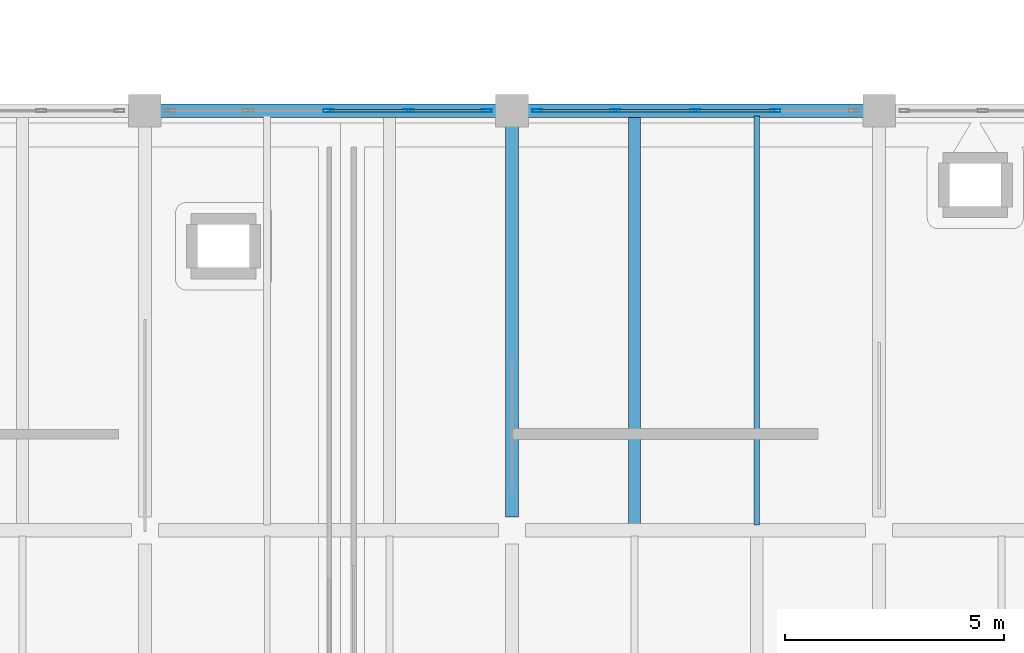
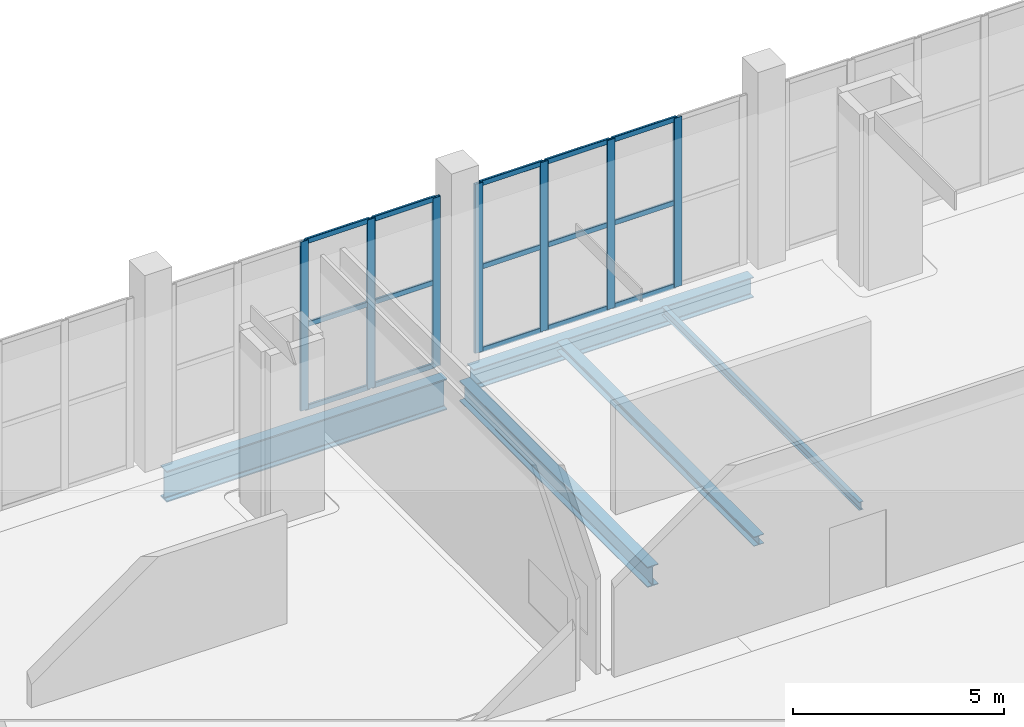
# One storey, part 15 of 49: 22 members, 5 beams, 2 elements without a shape of their own.
"""IFC4 building model written with IfcOpenShell, lengths in metres."""

from ifc_helpers import new_model, si_unit, direction, frame, origin, origin_2d, place, context, subcontext, project, spatial, hollow_rectangle, i_section, extrude, material, layer, layer_set, material_profile, profile_set, type_object, element, aggregate, save


model = new_model("IFC4")

# Units and contexts
model_context = context("Model", 3, precision=1e-05, world=origin(), true_north=direction((0.0, 1.0)))
body_context = subcontext(model_context, "Body", "Model", "MODEL_VIEW")
ifc_project = project(units=[si_unit("LENGTHUNIT", "METRE"), si_unit("AREAUNIT", "SQUARE_METRE"), si_unit("VOLUMEUNIT", "CUBIC_METRE"), si_unit("PLANEANGLEUNIT", "RADIAN"), si_unit("MASSUNIT", "GRAM", prefix="KILO")], contexts=[model_context])

# Site, building, storey
site_placement = place(None, origin())
site = spatial("IfcSite", under=ifc_project, at=site_placement, CompositionType="ELEMENT")
building_placement = place(site_placement, origin())
building = spatial("IfcBuilding", under=site, at=building_placement, Name="Zulmaris Art Gallery", CompositionType="ELEMENT")
storey_placement = place(building_placement, frame((0.0, 0.0, 20.699951171875)))
storey = spatial("IfcBuildingStorey", under=building, at=storey_placement, Name="L04", CompositionType="ELEMENT", Elevation=20.699951171875)

# Beams
ifc_material_1 = material(Name="Steel S355J2", Category="steel")
ifc_material_profile_1 = material_profile(ifc_material_1, i_section(OverallWidth=0.300048828125, OverallDepth=0.590087890625, WebThickness=0.012939453125, FlangeThickness=0.02490234375, FilletRadius=0.027099609375, at=origin_2d()), Name="HEA 600")
ifc_profile_set_1 = profile_set([ifc_material_profile_1], Name="Steel S355J2")
beam_type_1 = type_object("IfcBeamType", Name="BEAM-BM12", PredefinedType="BEAM", material=ifc_profile_set_1)
beam_1_placement = place(storey_placement, frame((66.360107421875, 50.39990234375, -0.655029296875), z_axis=(1.0, 0.0, 0.0), x_axis=(0.0, 1.0, 0.0)))
element("IfcBeam", 1, at=beam_1_placement, inside=storey, type_object=beam_type_1, Name="L04 X-girder (66.0..74.4, y=50.4)", PredefinedType="BEAM", context=body_context, shape_type="SweptSolid", body=[
    extrude(i_section(OverallWidth=0.300048828125, OverallDepth=0.590087890625, WebThickness=0.012939453125, FlangeThickness=0.02490234375, FilletRadius=0.027099609375, at=origin_2d()), origin(), (0.0, 0.0, 1.0), 7.679931640625),
])
beam_2_placement = place(storey_placement, frame((66.0, 41.110107421875, -0.655029296875), z_axis=(0.0, 1.0, 0.0), x_axis=(-1.0, 0.0, 0.0)))
element("IfcBeam", 2, at=beam_2_placement, inside=storey, type_object=beam_type_1, Name="L04 Y-girder (x=66.0, 40.8..50.4)", PredefinedType="BEAM", context=body_context, shape_type="SweptSolid", body=[
    extrude(i_section(OverallWidth=0.300048828125, OverallDepth=0.590087890625, WebThickness=0.012939453125, FlangeThickness=0.02490234375, FilletRadius=0.027099609375, at=origin_2d()), origin(), (0.0, 0.0, 1.0), 8.929931640625),
])
ifc_material_profile_2 = material_profile(ifc_material_1, i_section(OverallWidth=0.300048828125, OverallDepth=0.89990234375, WebThickness=0.0185546875, FlangeThickness=0.034912109375, FilletRadius=0.030029296875, at=origin_2d()), Name="HEB 900")
ifc_profile_set_2 = profile_set([ifc_material_profile_2], Name="Steel S355J2")
beam_type_2 = type_object("IfcBeamType", Name="BEAM-BM18", PredefinedType="BEAM", material=ifc_profile_set_2)
beam_3_placement = place(storey_placement, frame((57.9599609375, 50.39990234375, -0.81005859375), z_axis=(1.0, 0.0, 0.0), x_axis=(0.0, 1.0, 0.0)))
element("IfcBeam", 3, at=beam_3_placement, inside=storey, type_object=beam_type_2, Name="L04 X-girder (57.6..66.0, y=50.4)", PredefinedType="BEAM", context=body_context, shape_type="SweptSolid", body=[
    extrude(i_section(OverallWidth=0.300048828125, OverallDepth=0.89990234375, WebThickness=0.0185546875, FlangeThickness=0.034912109375, FilletRadius=0.030029296875, at=origin_2d()), origin(), (0.0, 0.0, 1.0), 7.679931640625),
])
ifc_material_profile_3 = material_profile(ifc_material_1, i_section(OverallWidth=0.1201171875, OverallDepth=0.239990234375, WebThickness=0.006103515625, FlangeThickness=0.009765625, FilletRadius=0.014892578125, at=origin_2d()), Name="IPE 240")
ifc_profile_set_3 = profile_set([ifc_material_profile_3], Name="Steel S355J2")
beam_type_3 = type_object("IfcBeamType", Name="BEAM-JS01", PredefinedType="JOIST", material=ifc_profile_set_3)
beam_4_placement = place(storey_placement, frame((71.60009765625, 40.925048828125, -0.47998046875), z_axis=(0.0, 1.0, 0.0), x_axis=(-1.0, 0.0, 0.0)))
element("IfcBeam", 4, at=beam_4_placement, inside=storey, type_object=beam_type_3, Name="L04 secondary joist at x=71.6", PredefinedType="JOIST", context=body_context, shape_type="SweptSolid", body=[
    extrude(i_section(OverallWidth=0.1201171875, OverallDepth=0.239990234375, WebThickness=0.006103515625, FlangeThickness=0.009765625, FilletRadius=0.014892578125, at=origin_2d()), origin(), (0.0, 0.0, 1.0), 9.349853515625),
])
ifc_material_profile_4 = material_profile(ifc_material_1, i_section(OverallWidth=0.280029296875, OverallDepth=0.27001953125, WebThickness=0.008056640625, FlangeThickness=0.012939453125, FilletRadius=0.02392578125, at=origin_2d()), Name="HEA 280")
ifc_profile_set_4 = profile_set([ifc_material_profile_4], Name="Steel S355J2")
beam_type_4 = type_object("IfcBeamType", Name="BEAM-JS04", PredefinedType="JOIST", material=ifc_profile_set_4)
beam_5_placement = place(storey_placement, frame((68.800048828125, 40.925048828125, -0.494873046875), z_axis=(0.0, 1.0, 0.0), x_axis=(-1.0, 0.0, 0.0)))
element("IfcBeam", 5, at=beam_5_placement, inside=storey, type_object=beam_type_4, Name="L04 secondary joist at x=68.8", PredefinedType="JOIST", context=body_context, shape_type="SweptSolid", body=[
    extrude(i_section(OverallWidth=0.280029296875, OverallDepth=0.27001953125, WebThickness=0.008056640625, FlangeThickness=0.012939453125, FilletRadius=0.02392578125, at=origin_2d()), origin(), (0.0, 0.0, 1.0), 9.349853515625),
])

# Curtain wall, members
ifc_material_2 = material(Name="Unitised Low-E Gallery Curtain Wall", Category="aluminium")
ifc_layer = layer(ifc_material_2, 0.179931640625)
ifc_layer_set = layer_set([ifc_layer], Name="Unitised Low-E Gallery Curtain Wall")
curtain_wall_type = type_object("IfcCurtainWallType", Name="CW-CW01", PredefinedType="NOTDEFINED", material=ifc_layer_set)
curtain_wall_1_placement = place(storey_placement, origin())
curtain_wall_1 = element("IfcCurtainWall", 6, at=curtain_wall_1_placement, inside=storey, type_object=curtain_wall_type, Name="L04 curtain wall 31", PredefinedType="NOTDEFINED")
ifc_material_3 = material(Name="Anodised Bronze Aluminium", Category="aluminium")
ifc_material_profile_5 = material_profile(ifc_material_3, hollow_rectangle(XDim=0.074951171875, YDim=0.219970703125, WallThickness=0.0048828125, InnerFilletRadius=0.007568359375, OuterFilletRadius=0.012451171875, at=origin_2d()), Name="ALU 75x220x5")
ifc_profile_set_5 = profile_set([ifc_material_profile_5], Name="Anodised Bronze Aluminium")
member_type_1 = type_object("IfcMemberType", Name="CWMUL-02", PredefinedType="MULLION", material=ifc_profile_set_5)
member_1_placement = place(storey_placement, frame((65.422607421875, 50.39990234375, 0.0), z_axis=(0.0, 0.0, 1.0), x_axis=(0.0, -1.0, 0.0)))
member_1 = element("IfcMember", 7, at=member_1_placement, type_object=member_type_1, Name="CW01 mullion 1", PredefinedType="MULLION", context=body_context, shape_type="SweptSolid", body=[
    extrude(hollow_rectangle(XDim=0.074951171875, YDim=0.219970703125, WallThickness=0.0048828125, InnerFilletRadius=0.007568359375, OuterFilletRadius=0.012451171875, at=origin_2d()), origin(), (0.0, 0.0, 1.0), 4.900146484375),
])
member_2_placement = place(storey_placement, frame((63.6298828125, 50.39990234375, 0.0), z_axis=(0.0, 0.0, 1.0), x_axis=(0.0, -1.0, 0.0)))
member_2 = element("IfcMember", 8, at=member_2_placement, type_object=member_type_1, Name="CW01 mullion 2", PredefinedType="MULLION", context=body_context, shape_type="SweptSolid", body=[
    extrude(hollow_rectangle(XDim=0.074951171875, YDim=0.219970703125, WallThickness=0.0048828125, InnerFilletRadius=0.007568359375, OuterFilletRadius=0.012451171875, at=origin_2d()), origin(), (0.0, 0.0, 1.0), 4.900146484375),
])
member_3_placement = place(storey_placement, frame((61.800048828125, 50.39990234375, 0.0), z_axis=(0.0, 0.0, 1.0), x_axis=(0.0, -1.0, 0.0)))
member_3 = element("IfcMember", 9, at=member_3_placement, type_object=member_type_1, Name="CW01 mullion 3", PredefinedType="MULLION", context=body_context, shape_type="SweptSolid", body=[
    extrude(hollow_rectangle(XDim=0.074951171875, YDim=0.219970703125, WallThickness=0.0048828125, InnerFilletRadius=0.007568359375, OuterFilletRadius=0.012451171875, at=origin_2d()), origin(), (0.0, 0.0, 1.0), 4.900146484375),
])

curtain_wall_2_placement = place(storey_placement, origin())
curtain_wall_2 = element("IfcCurtainWall", 10, at=curtain_wall_2_placement, inside=storey, type_object=curtain_wall_type, Name="L04 curtain wall 32", PredefinedType="NOTDEFINED")
member_4_placement = place(storey_placement, frame((72.030029296875, 50.39990234375, 0.0), z_axis=(0.0, 0.0, 1.0), x_axis=(0.0, -1.0, 0.0)))
member_4 = element("IfcMember", 11, at=member_4_placement, type_object=member_type_1, Name="CW01 mullion 2", PredefinedType="MULLION", context=body_context, shape_type="SweptSolid", body=[
    extrude(hollow_rectangle(XDim=0.074951171875, YDim=0.219970703125, WallThickness=0.0048828125, InnerFilletRadius=0.007568359375, OuterFilletRadius=0.012451171875, at=origin_2d()), origin(), (0.0, 0.0, 1.0), 4.900146484375),
])
member_5_placement = place(storey_placement, frame((70.199951171875, 50.39990234375, 0.0), z_axis=(0.0, 0.0, 1.0), x_axis=(0.0, -1.0, 0.0)))
member_5 = element("IfcMember", 12, at=member_5_placement, type_object=member_type_1, Name="CW01 mullion 3", PredefinedType="MULLION", context=body_context, shape_type="SweptSolid", body=[
    extrude(hollow_rectangle(XDim=0.074951171875, YDim=0.219970703125, WallThickness=0.0048828125, InnerFilletRadius=0.007568359375, OuterFilletRadius=0.012451171875, at=origin_2d()), origin(), (0.0, 0.0, 1.0), 4.900146484375),
])
member_6_placement = place(storey_placement, frame((68.3701171875, 50.39990234375, 0.0), z_axis=(0.0, 0.0, 1.0), x_axis=(0.0, -1.0, 0.0)))
member_6 = element("IfcMember", 13, at=member_6_placement, type_object=member_type_1, Name="CW01 mullion 4", PredefinedType="MULLION", context=body_context, shape_type="SweptSolid", body=[
    extrude(hollow_rectangle(XDim=0.074951171875, YDim=0.219970703125, WallThickness=0.0048828125, InnerFilletRadius=0.007568359375, OuterFilletRadius=0.012451171875, at=origin_2d()), origin(), (0.0, 0.0, 1.0), 4.900146484375),
])
member_7_placement = place(storey_placement, frame((66.577392578125, 50.39990234375, 0.0), z_axis=(0.0, 0.0, 1.0), x_axis=(0.0, -1.0, 0.0)))
member_7 = element("IfcMember", 14, at=member_7_placement, type_object=member_type_1, Name="CW01 mullion 5", PredefinedType="MULLION", context=body_context, shape_type="SweptSolid", body=[
    extrude(hollow_rectangle(XDim=0.074951171875, YDim=0.219970703125, WallThickness=0.0048828125, InnerFilletRadius=0.007568359375, OuterFilletRadius=0.012451171875, at=origin_2d()), origin(), (0.0, 0.0, 1.0), 4.900146484375),
])

# Member
ifc_material_profile_6 = material_profile(ifc_material_3, hollow_rectangle(XDim=0.06494140625, YDim=0.14990234375, WallThickness=0.00390625, InnerFilletRadius=0.006103515625, OuterFilletRadius=0.010009765625, at=origin_2d()), Name="ALU 65x150x4")
ifc_profile_set_6 = profile_set([ifc_material_profile_6], Name="Anodised Bronze Aluminium")
member_type_2 = type_object("IfcMemberType", Name="CWTRN-01", PredefinedType="USERDEFINED", material=ifc_profile_set_6)
member_8_placement = place(storey_placement, frame((65.385009765625, 50.39990234375, 0.03759765625), z_axis=(-1.0, 0.0, 0.0), x_axis=(0.0, -1.0, 0.0)))
member_8 = element("IfcMember", 15, at=member_8_placement, type_object=member_type_2, Name="CW01 transom 1.1", ObjectType="TRANSOM", PredefinedType="USERDEFINED", context=body_context, shape_type="SweptSolid", body=[
    extrude(hollow_rectangle(XDim=0.06494140625, YDim=0.14990234375, WallThickness=0.00390625, InnerFilletRadius=0.006103515625, OuterFilletRadius=0.010009765625, at=origin_2d()), origin(), (0.0, 0.0, 1.0), 1.717529296875),
])

member_9_placement = place(storey_placement, frame((65.385009765625, 50.39990234375, 2.449951171875), z_axis=(-1.0, 0.0, 0.0), x_axis=(0.0, -1.0, 0.0)))
member_9 = element("IfcMember", 16, at=member_9_placement, type_object=member_type_2, Name="CW01 transom 1.2", ObjectType="TRANSOM", PredefinedType="USERDEFINED", context=body_context, shape_type="SweptSolid", body=[
    extrude(hollow_rectangle(XDim=0.06494140625, YDim=0.14990234375, WallThickness=0.00390625, InnerFilletRadius=0.006103515625, OuterFilletRadius=0.010009765625, at=origin_2d()), origin(), (0.0, 0.0, 1.0), 1.717529296875),
])

member_10_placement = place(storey_placement, frame((65.385009765625, 50.39990234375, 4.862548828125), z_axis=(-1.0, 0.0, 0.0), x_axis=(0.0, -1.0, 0.0)))
member_10 = element("IfcMember", 17, at=member_10_placement, type_object=member_type_2, Name="CW01 transom 1.3", ObjectType="TRANSOM", PredefinedType="USERDEFINED", context=body_context, shape_type="SweptSolid", body=[
    extrude(hollow_rectangle(XDim=0.06494140625, YDim=0.14990234375, WallThickness=0.00390625, InnerFilletRadius=0.006103515625, OuterFilletRadius=0.010009765625, at=origin_2d()), origin(), (0.0, 0.0, 1.0), 1.717529296875),
])

member_11_placement = place(storey_placement, frame((63.592529296875, 50.39990234375, 0.03759765625), z_axis=(-1.0, 0.0, 0.0), x_axis=(0.0, -1.0, 0.0)))
member_11 = element("IfcMember", 18, at=member_11_placement, type_object=member_type_2, Name="CW01 transom 2.1", ObjectType="TRANSOM", PredefinedType="USERDEFINED", context=body_context, shape_type="SweptSolid", body=[
    extrude(hollow_rectangle(XDim=0.06494140625, YDim=0.14990234375, WallThickness=0.00390625, InnerFilletRadius=0.006103515625, OuterFilletRadius=0.010009765625, at=origin_2d()), origin(), (0.0, 0.0, 1.0), 1.755126953125),
])

member_12_placement = place(storey_placement, frame((63.592529296875, 50.39990234375, 2.449951171875), z_axis=(-1.0, 0.0, 0.0), x_axis=(0.0, -1.0, 0.0)))
member_12 = element("IfcMember", 19, at=member_12_placement, type_object=member_type_2, Name="CW01 transom 2.2", ObjectType="TRANSOM", PredefinedType="USERDEFINED", context=body_context, shape_type="SweptSolid", body=[
    extrude(hollow_rectangle(XDim=0.06494140625, YDim=0.14990234375, WallThickness=0.00390625, InnerFilletRadius=0.006103515625, OuterFilletRadius=0.010009765625, at=origin_2d()), origin(), (0.0, 0.0, 1.0), 1.755126953125),
])

member_13_placement = place(storey_placement, frame((63.592529296875, 50.39990234375, 4.862548828125), z_axis=(-1.0, 0.0, 0.0), x_axis=(0.0, -1.0, 0.0)))
member_13 = element("IfcMember", 20, at=member_13_placement, type_object=member_type_2, Name="CW01 transom 2.3", ObjectType="TRANSOM", PredefinedType="USERDEFINED", context=body_context, shape_type="SweptSolid", body=[
    extrude(hollow_rectangle(XDim=0.06494140625, YDim=0.14990234375, WallThickness=0.00390625, InnerFilletRadius=0.006103515625, OuterFilletRadius=0.010009765625, at=origin_2d()), origin(), (0.0, 0.0, 1.0), 1.755126953125),
])

aggregate(curtain_wall_1, [member_1, member_2, member_3, member_8, member_9, member_10, member_11, member_12, member_13])

member_14_placement = place(storey_placement, frame((71.992431640625, 50.39990234375, 0.03759765625), z_axis=(-1.0, 0.0, 0.0), x_axis=(0.0, -1.0, 0.0)))
member_14 = element("IfcMember", 21, at=member_14_placement, type_object=member_type_2, Name="CW01 transom 2.1", ObjectType="TRANSOM", PredefinedType="USERDEFINED", context=body_context, shape_type="SweptSolid", body=[
    extrude(hollow_rectangle(XDim=0.06494140625, YDim=0.14990234375, WallThickness=0.00390625, InnerFilletRadius=0.006103515625, OuterFilletRadius=0.010009765625, at=origin_2d()), origin(), (0.0, 0.0, 1.0), 1.7548828125),
])

member_15_placement = place(storey_placement, frame((71.992431640625, 50.39990234375, 2.449951171875), z_axis=(-1.0, 0.0, 0.0), x_axis=(0.0, -1.0, 0.0)))
member_15 = element("IfcMember", 22, at=member_15_placement, type_object=member_type_2, Name="CW01 transom 2.2", ObjectType="TRANSOM", PredefinedType="USERDEFINED", context=body_context, shape_type="SweptSolid", body=[
    extrude(hollow_rectangle(XDim=0.06494140625, YDim=0.14990234375, WallThickness=0.00390625, InnerFilletRadius=0.006103515625, OuterFilletRadius=0.010009765625, at=origin_2d()), origin(), (0.0, 0.0, 1.0), 1.7548828125),
])

member_16_placement = place(storey_placement, frame((71.992431640625, 50.39990234375, 4.862548828125), z_axis=(-1.0, 0.0, 0.0), x_axis=(0.0, -1.0, 0.0)))
member_16 = element("IfcMember", 23, at=member_16_placement, type_object=member_type_2, Name="CW01 transom 2.3", ObjectType="TRANSOM", PredefinedType="USERDEFINED", context=body_context, shape_type="SweptSolid", body=[
    extrude(hollow_rectangle(XDim=0.06494140625, YDim=0.14990234375, WallThickness=0.00390625, InnerFilletRadius=0.006103515625, OuterFilletRadius=0.010009765625, at=origin_2d()), origin(), (0.0, 0.0, 1.0), 1.7548828125),
])

member_17_placement = place(storey_placement, frame((70.16259765625, 50.39990234375, 0.03759765625), z_axis=(-1.0, 0.0, 0.0), x_axis=(0.0, -1.0, 0.0)))
member_17 = element("IfcMember", 24, at=member_17_placement, type_object=member_type_2, Name="CW01 transom 3.1", ObjectType="TRANSOM", PredefinedType="USERDEFINED", context=body_context, shape_type="SweptSolid", body=[
    extrude(hollow_rectangle(XDim=0.06494140625, YDim=0.14990234375, WallThickness=0.00390625, InnerFilletRadius=0.006103515625, OuterFilletRadius=0.010009765625, at=origin_2d()), origin(), (0.0, 0.0, 1.0), 1.755126953125),
])

member_18_placement = place(storey_placement, frame((70.16259765625, 50.39990234375, 2.449951171875), z_axis=(-1.0, 0.0, 0.0), x_axis=(0.0, -1.0, 0.0)))
member_18 = element("IfcMember", 25, at=member_18_placement, type_object=member_type_2, Name="CW01 transom 3.2", ObjectType="TRANSOM", PredefinedType="USERDEFINED", context=body_context, shape_type="SweptSolid", body=[
    extrude(hollow_rectangle(XDim=0.06494140625, YDim=0.14990234375, WallThickness=0.00390625, InnerFilletRadius=0.006103515625, OuterFilletRadius=0.010009765625, at=origin_2d()), origin(), (0.0, 0.0, 1.0), 1.755126953125),
])

member_19_placement = place(storey_placement, frame((70.16259765625, 50.39990234375, 4.862548828125), z_axis=(-1.0, 0.0, 0.0), x_axis=(0.0, -1.0, 0.0)))
member_19 = element("IfcMember", 26, at=member_19_placement, type_object=member_type_2, Name="CW01 transom 3.3", ObjectType="TRANSOM", PredefinedType="USERDEFINED", context=body_context, shape_type="SweptSolid", body=[
    extrude(hollow_rectangle(XDim=0.06494140625, YDim=0.14990234375, WallThickness=0.00390625, InnerFilletRadius=0.006103515625, OuterFilletRadius=0.010009765625, at=origin_2d()), origin(), (0.0, 0.0, 1.0), 1.755126953125),
])

member_20_placement = place(storey_placement, frame((68.33251953125, 50.39990234375, 0.03759765625), z_axis=(-1.0, 0.0, 0.0), x_axis=(0.0, -1.0, 0.0)))
member_20 = element("IfcMember", 27, at=member_20_placement, type_object=member_type_2, Name="CW01 transom 4.1", ObjectType="TRANSOM", PredefinedType="USERDEFINED", context=body_context, shape_type="SweptSolid", body=[
    extrude(hollow_rectangle(XDim=0.06494140625, YDim=0.14990234375, WallThickness=0.00390625, InnerFilletRadius=0.006103515625, OuterFilletRadius=0.010009765625, at=origin_2d()), origin(), (0.0, 0.0, 1.0), 1.717529296875),
])

member_21_placement = place(storey_placement, frame((68.33251953125, 50.39990234375, 2.449951171875), z_axis=(-1.0, 0.0, 0.0), x_axis=(0.0, -1.0, 0.0)))
member_21 = element("IfcMember", 28, at=member_21_placement, type_object=member_type_2, Name="CW01 transom 4.2", ObjectType="TRANSOM", PredefinedType="USERDEFINED", context=body_context, shape_type="SweptSolid", body=[
    extrude(hollow_rectangle(XDim=0.06494140625, YDim=0.14990234375, WallThickness=0.00390625, InnerFilletRadius=0.006103515625, OuterFilletRadius=0.010009765625, at=origin_2d()), origin(), (0.0, 0.0, 1.0), 1.717529296875),
])

member_22_placement = place(storey_placement, frame((68.33251953125, 50.39990234375, 4.862548828125), z_axis=(-1.0, 0.0, 0.0), x_axis=(0.0, -1.0, 0.0)))
member_22 = element("IfcMember", 29, at=member_22_placement, type_object=member_type_2, Name="CW01 transom 4.3", ObjectType="TRANSOM", PredefinedType="USERDEFINED", context=body_context, shape_type="SweptSolid", body=[
    extrude(hollow_rectangle(XDim=0.06494140625, YDim=0.14990234375, WallThickness=0.00390625, InnerFilletRadius=0.006103515625, OuterFilletRadius=0.010009765625, at=origin_2d()), origin(), (0.0, 0.0, 1.0), 1.717529296875),
])

aggregate(curtain_wall_2, [member_4, member_5, member_6, member_7, member_14, member_15, member_16, member_17, member_18, member_19, member_20, member_21, member_22])

save(model, "model.ifc")
